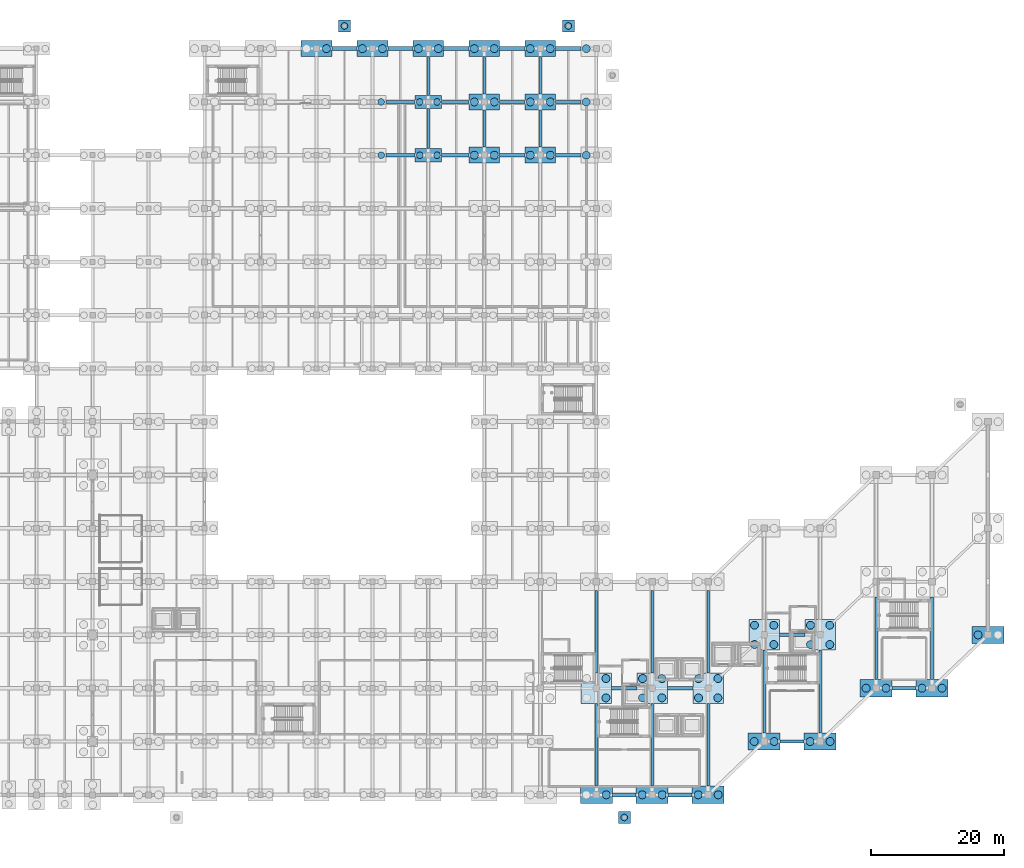
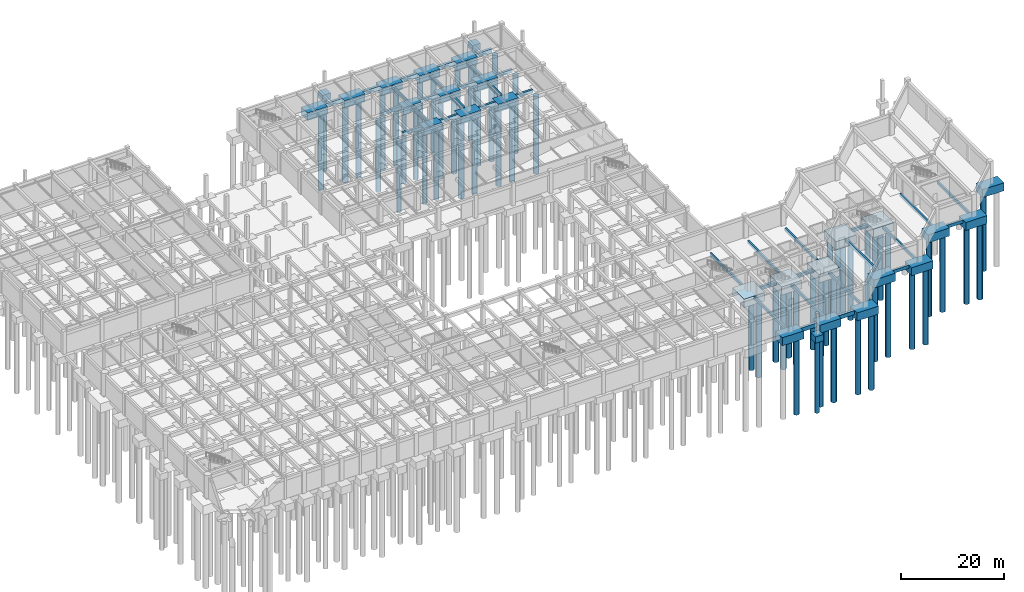
# One storey, part 9 of 56: 63 footings, 61 piles.
"""IFC4 building model written with IfcOpenShell, lengths in metres."""

from ifc_helpers import new_model, si_unit, direction, frame, origin, origin_2d, place, context, subcontext, project, spatial, rectangle, circle, extrude, material, material_profile, profile_set, type_object, element, save


model = new_model("IFC4")

# Units and contexts
model_context = context("Model", 3, precision=1e-05, world=origin(), true_north=direction((0.0, 1.0)))
body_context = subcontext(model_context, "Body", "Model", "MODEL_VIEW")
ifc_project = project(units=[si_unit("LENGTHUNIT", "METRE"), si_unit("AREAUNIT", "SQUARE_METRE"), si_unit("VOLUMEUNIT", "CUBIC_METRE"), si_unit("PLANEANGLEUNIT", "RADIAN"), si_unit("MASSUNIT", "GRAM", prefix="KILO")], contexts=[model_context])

# Site, building, storey
site_placement = place(None, origin())
site = spatial("IfcSite", under=ifc_project, at=site_placement, CompositionType="ELEMENT")
building_placement = place(site_placement, origin())
building = spatial("IfcBuilding", under=site, at=building_placement, Name="Naruveol Harbour Congress Hotel", CompositionType="ELEMENT")
storey_placement = place(building_placement, frame((0.0, 0.0, -5.39990234375)))
storey = spatial("IfcBuildingStorey", under=building, at=storey_placement, Name="B01", CompositionType="ELEMENT", Elevation=-5.39990234375)

# Piles
ifc_material_1 = material(Name="Concrete C40/50", Category="concrete")
ifc_material_profile_1 = material_profile(ifc_material_1, circle(Radius=0.5, at=origin_2d()), Name="BP-1000")
ifc_profile_set_1 = profile_set([ifc_material_profile_1], Name="Concrete C40/50")
pile_type_1 = type_object("IfcPileType", Name="BORED ROCK SOCKETED PILE D1000", PredefinedType="BORED", material=ifc_profile_set_1)
pile_1_placement = place(storey_placement, frame((88.199951171875, 115.39990234375, -1.35009765625), z_axis=(0.0, 0.0, -1.0), x_axis=(1.0, 0.0, 0.0)))
element("IfcPile", 1, at=pile_1_placement, inside=storey, type_object=pile_type_1, Name="Bored pile BP-1000 #1 under FTG-CAP-0882-1154", PredefinedType="BORED", context=body_context, shape_type="SweptSolid", body=[
    extrude(circle(Radius=0.5, at=origin_2d()), origin(), (0.0, 0.0, 1.0), 17.25),
])
for number, where, z_axis, x_axis, name in (
    (2, (93.699951171875, 96.0, -1.550048828125), (0.0, 0.0, -1.0), (1.0, 0.0, 0.0), "Bored pile BP-1000 #2 under FTG-CAP-0924-0960"),
    (3, (93.699951171875, 104.0, -1.550048828125), (0.0, 0.0, -1.0), (1.0, 0.0, 0.0), "Bored pile BP-1000 #2 under FTG-CAP-0924-1040"),
    (4, (99.5, 96.0, -1.550048828125), (0.0, 0.0, -1.0), (1.0, 0.0, 0.0), "Bored pile BP-1000 #1 under FTG-CAP-1008-0960"),
    (5, (102.10009765625, 96.0, -1.550048828125), (0.0, 0.0, -1.0), (1.0, 0.0, 0.0), "Bored pile BP-1000 #2 under FTG-CAP-1008-0960"),
    (6, (99.5, 104.0, -1.550048828125), (0.0, 0.0, -1.0), (1.0, 0.0, 0.0), "Bored pile BP-1000 #1 under FTG-CAP-1008-1040"),
    (7, (102.10009765625, 104.0, -1.550048828125), (0.0, 0.0, -1.0), (1.0, 0.0, 0.0), "Bored pile BP-1000 #2 under FTG-CAP-1008-1040"),
):
    element("IfcPile", number, at=place(storey_placement, frame(where, z_axis=z_axis, x_axis=x_axis)), inside=storey, type_object=pile_type_1, Name=name, PredefinedType="BORED", context=body_context, shape_type="SweptSolid", body=[
        extrude(circle(Radius=0.5, at=origin_2d()), origin(), (0.0, 0.0, 1.0), 17.050048828125),
    ])
for number, where, z_axis, x_axis, name in (
    (8, (121.800048828125, 115.39990234375, -1.35009765625), (0.0, 0.0, -1.0), (1.0, 0.0, 0.0), "Bored pile BP-1000 #1 under FTG-CAP-1218-1154"),
    (9, (130.199951171875, -3.39990234375, -1.35009765625), (0.0, 0.0, -1.0), (1.0, 0.0, 0.0), "Bored pile BP-1000 #1 under FTG-CAP-1302--034"),
):
    element("IfcPile", number, at=place(storey_placement, frame(where, z_axis=z_axis, x_axis=x_axis)), inside=storey, type_object=pile_type_1, Name=name, PredefinedType="BORED", context=body_context, shape_type="SweptSolid", body=[
        extrude(circle(Radius=0.5, at=origin_2d()), origin(), (0.0, 0.0, 1.0), 17.25),
    ])
ifc_material_2 = material(Name="Concrete C40/50", Category="concrete")
ifc_material_profile_2 = material_profile(ifc_material_2, circle(Radius=0.60009765625, at=origin_2d()), Name="BP-1200")
ifc_profile_set_2 = profile_set([ifc_material_profile_2], Name="Concrete C40/50")
pile_type_2 = type_object("IfcPileType", Name="BORED ROCK SOCKETED PILE D1200", PredefinedType="BORED", material=ifc_profile_set_2)
for number, where, z_axis, x_axis, name in (
    (10, (85.5, 112.0, -1.650146484375), (0.0, 0.0, -1.0), (1.0, 0.0, 0.0), "Bored pile BP-1200 #2 under FTG-CAP-0840-1120"),
    (11, (90.89990234375, 112.0, -1.650146484375), (0.0, 0.0, -1.0), (1.0, 0.0, 0.0), "Bored pile BP-1200 #1 under FTG-CAP-0924-1120"),
    (12, (93.89990234375, 112.0, -1.650146484375), (0.0, 0.0, -1.0), (1.0, 0.0, 0.0), "Bored pile BP-1200 #2 under FTG-CAP-0924-1120"),
    (13, (99.300048828125, 112.0, -1.650146484375), (0.0, 0.0, -1.0), (1.0, 0.0, 0.0), "Bored pile BP-1200 #1 under FTG-CAP-1008-1120"),
    (14, (102.300048828125, 112.0, -1.650146484375), (0.0, 0.0, -1.0), (1.0, 0.0, 0.0), "Bored pile BP-1200 #2 under FTG-CAP-1008-1120"),
    (15, (107.699951171875, 96.0, -1.650146484375), (0.0, 0.0, -1.0), (1.0, 0.0, 0.0), "Bored pile BP-1200 #1 under FTG-CAP-1092-0960"),
    (16, (110.699951171875, 96.0, -1.650146484375), (0.0, 0.0, -1.0), (1.0, 0.0, 0.0), "Bored pile BP-1200 #2 under FTG-CAP-1092-0960"),
    (17, (107.699951171875, 104.0, -1.650146484375), (0.0, 0.0, -1.0), (1.0, 0.0, 0.0), "Bored pile BP-1200 #1 under FTG-CAP-1092-1040"),
    (18, (110.699951171875, 104.0, -1.650146484375), (0.0, 0.0, -1.0), (1.0, 0.0, 0.0), "Bored pile BP-1200 #2 under FTG-CAP-1092-1040"),
    (19, (107.699951171875, 112.0, -1.650146484375), (0.0, 0.0, -1.0), (1.0, 0.0, 0.0), "Bored pile BP-1200 #1 under FTG-CAP-1092-1120"),
    (20, (110.699951171875, 112.0, -1.650146484375), (0.0, 0.0, -1.0), (1.0, 0.0, 0.0), "Bored pile BP-1200 #2 under FTG-CAP-1092-1120"),
    (21, (116.10009765625, 96.0, -1.650146484375), (0.0, 0.0, -1.0), (1.0, 0.0, 0.0), "Bored pile BP-1200 #1 under FTG-CAP-1176-0960"),
    (22, (119.10009765625, 96.0, -1.650146484375), (0.0, 0.0, -1.0), (1.0, 0.0, 0.0), "Bored pile BP-1200 #2 under FTG-CAP-1176-0960"),
    (23, (116.10009765625, 104.0, -1.650146484375), (0.0, 0.0, -1.0), (1.0, 0.0, 0.0), "Bored pile BP-1200 #1 under FTG-CAP-1176-1040"),
    (24, (119.10009765625, 104.0, -1.650146484375), (0.0, 0.0, -1.0), (1.0, 0.0, 0.0), "Bored pile BP-1200 #2 under FTG-CAP-1176-1040"),
    (25, (116.10009765625, 112.0, -1.650146484375), (0.0, 0.0, -1.0), (1.0, 0.0, 0.0), "Bored pile BP-1200 #1 under FTG-CAP-1176-1120"),
    (26, (119.10009765625, 112.0, -1.650146484375), (0.0, 0.0, -1.0), (1.0, 0.0, 0.0), "Bored pile BP-1200 #2 under FTG-CAP-1176-1120"),
):
    element("IfcPile", number, at=place(storey_placement, frame(where, z_axis=z_axis, x_axis=x_axis)), inside=storey, type_object=pile_type_2, Name=name, PredefinedType="BORED", context=body_context, shape_type="SweptSolid", body=[
        extrude(circle(Radius=0.60009765625, at=origin_2d()), origin(), (0.0, 0.0, 1.0), 18.449951171875),
    ])
pile_2_placement = place(storey_placement, frame((127.5, 0.0, -1.75), z_axis=(0.0, 0.0, -1.0), x_axis=(1.0, 0.0, 0.0)))
element("IfcPile", 27, at=pile_2_placement, inside=storey, type_object=pile_type_2, Name="Bored pile BP-1200 #2 under FTG-CAP-1260-0000", PredefinedType="BORED", context=body_context, shape_type="SweptSolid", body=[
    extrude(circle(Radius=0.60009765625, at=origin_2d()), origin(), (0.0, 0.0, 1.0), 18.35009765625),
])
for number, where, z_axis, x_axis, name in (
    (28, (127.449951171875, 14.550048828125, -1.85009765625), (0.0, 0.0, -1.0), (1.0, 0.0, 0.0), "Bored pile BP-1200 #2 under FTG-CAP-1260-0160"),
    (29, (127.449951171875, 17.449951171875, -1.85009765625), (0.0, 0.0, -1.0), (1.0, 0.0, 0.0), "Bored pile BP-1200 #4 under FTG-CAP-1260-0160"),
):
    element("IfcPile", number, at=place(storey_placement, frame(where, z_axis=z_axis, x_axis=x_axis)), inside=storey, type_object=pile_type_2, Name=name, PredefinedType="BORED", context=body_context, shape_type="SweptSolid", body=[
        extrude(circle(Radius=0.60009765625, at=origin_2d()), origin(), (0.0, 0.0, 1.0), 18.25),
    ])
for number, where, z_axis, x_axis, name in (
    (30, (124.5, 96.0, -1.650146484375), (0.0, 0.0, -1.0), (1.0, 0.0, 0.0), "Bored pile BP-1200 #1 under FTG-CAP-1260-0960"),
    (31, (124.5, 104.0, -1.650146484375), (0.0, 0.0, -1.0), (1.0, 0.0, 0.0), "Bored pile BP-1200 #1 under FTG-CAP-1260-1040"),
    (32, (124.5, 112.0, -1.650146484375), (0.0, 0.0, -1.0), (1.0, 0.0, 0.0), "Bored pile BP-1200 #1 under FTG-CAP-1260-1120"),
):
    element("IfcPile", number, at=place(storey_placement, frame(where, z_axis=z_axis, x_axis=x_axis)), inside=storey, type_object=pile_type_2, Name=name, PredefinedType="BORED", context=body_context, shape_type="SweptSolid", body=[
        extrude(circle(Radius=0.60009765625, at=origin_2d()), origin(), (0.0, 0.0, 1.0), 18.449951171875),
    ])
for number, where, z_axis, x_axis, name in (
    (33, (132.89990234375, 0.0, -1.75), (0.0, 0.0, -1.0), (1.0, 0.0, 0.0), "Bored pile BP-1200 #1 under FTG-CAP-1344-0000"),
    (34, (135.89990234375, 0.0, -1.75), (0.0, 0.0, -1.0), (1.0, 0.0, 0.0), "Bored pile BP-1200 #2 under FTG-CAP-1344-0000"),
):
    element("IfcPile", number, at=place(storey_placement, frame(where, z_axis=z_axis, x_axis=x_axis)), inside=storey, type_object=pile_type_2, Name=name, PredefinedType="BORED", context=body_context, shape_type="SweptSolid", body=[
        extrude(circle(Radius=0.60009765625, at=origin_2d()), origin(), (0.0, 0.0, 1.0), 18.35009765625),
    ])
for number, where, z_axis, x_axis, name in (
    (35, (132.949951171875, 14.550048828125, -1.85009765625), (0.0, 0.0, -1.0), (1.0, 0.0, 0.0), "Bored pile BP-1200 #1 under FTG-CAP-1344-0160"),
    (36, (135.85009765625, 14.550048828125, -1.85009765625), (0.0, 0.0, -1.0), (1.0, 0.0, 0.0), "Bored pile BP-1200 #2 under FTG-CAP-1344-0160"),
    (37, (132.949951171875, 17.449951171875, -1.85009765625), (0.0, 0.0, -1.0), (1.0, 0.0, 0.0), "Bored pile BP-1200 #3 under FTG-CAP-1344-0160"),
    (38, (135.85009765625, 17.449951171875, -1.85009765625), (0.0, 0.0, -1.0), (1.0, 0.0, 0.0), "Bored pile BP-1200 #4 under FTG-CAP-1344-0160"),
):
    element("IfcPile", number, at=place(storey_placement, frame(where, z_axis=z_axis, x_axis=x_axis)), inside=storey, type_object=pile_type_2, Name=name, PredefinedType="BORED", context=body_context, shape_type="SweptSolid", body=[
        extrude(circle(Radius=0.60009765625, at=origin_2d()), origin(), (0.0, 0.0, 1.0), 18.25),
    ])
for number, where, z_axis, x_axis, name in (
    (39, (141.300048828125, 0.0, -1.75), (0.0, 0.0, -1.0), (1.0, 0.0, 0.0), "Bored pile BP-1200 #1 under FTG-CAP-1428-0000"),
    (40, (144.300048828125, 0.0, -1.75), (0.0, 0.0, -1.0), (1.0, 0.0, 0.0), "Bored pile BP-1200 #2 under FTG-CAP-1428-0000"),
):
    element("IfcPile", number, at=place(storey_placement, frame(where, z_axis=z_axis, x_axis=x_axis)), inside=storey, type_object=pile_type_2, Name=name, PredefinedType="BORED", context=body_context, shape_type="SweptSolid", body=[
        extrude(circle(Radius=0.60009765625, at=origin_2d()), origin(), (0.0, 0.0, 1.0), 18.35009765625),
    ])
for number, where, z_axis, x_axis, name in (
    (41, (141.35009765625, 14.550048828125, -1.85009765625), (0.0, 0.0, -1.0), (1.0, 0.0, 0.0), "Bored pile BP-1200 #1 under FTG-CAP-1428-0160"),
    (42, (144.25, 14.550048828125, -1.85009765625), (0.0, 0.0, -1.0), (1.0, 0.0, 0.0), "Bored pile BP-1200 #2 under FTG-CAP-1428-0160"),
    (43, (141.35009765625, 17.449951171875, -1.85009765625), (0.0, 0.0, -1.0), (1.0, 0.0, 0.0), "Bored pile BP-1200 #3 under FTG-CAP-1428-0160"),
    (44, (144.25, 17.449951171875, -1.85009765625), (0.0, 0.0, -1.0), (1.0, 0.0, 0.0), "Bored pile BP-1200 #4 under FTG-CAP-1428-0160"),
):
    element("IfcPile", number, at=place(storey_placement, frame(where, z_axis=z_axis, x_axis=x_axis)), inside=storey, type_object=pile_type_2, Name=name, PredefinedType="BORED", context=body_context, shape_type="SweptSolid", body=[
        extrude(circle(Radius=0.60009765625, at=origin_2d()), origin(), (0.0, 0.0, 1.0), 18.25),
    ])
for number, where, z_axis, x_axis, name in (
    (45, (149.699951171875, 8.0, -1.75), (0.0, 0.0, -1.0), (1.0, 0.0, 0.0), "Bored pile BP-1200 #1 under FTG-CAP-1512-0080"),
    (46, (152.699951171875, 8.0, -1.75), (0.0, 0.0, -1.0), (1.0, 0.0, 0.0), "Bored pile BP-1200 #2 under FTG-CAP-1512-0080"),
):
    element("IfcPile", number, at=place(storey_placement, frame(where, z_axis=z_axis, x_axis=x_axis)), inside=storey, type_object=pile_type_2, Name=name, PredefinedType="BORED", context=body_context, shape_type="SweptSolid", body=[
        extrude(circle(Radius=0.60009765625, at=origin_2d()), origin(), (0.0, 0.0, 1.0), 18.35009765625),
    ])
for number, where, z_axis, x_axis, name in (
    (47, (149.75, 22.550048828125, -1.85009765625), (0.0, 0.0, -1.0), (1.0, 0.0, 0.0), "Bored pile BP-1200 #1 under FTG-CAP-1512-0240"),
    (48, (152.64990234375, 22.550048828125, -1.85009765625), (0.0, 0.0, -1.0), (1.0, 0.0, 0.0), "Bored pile BP-1200 #2 under FTG-CAP-1512-0240"),
    (49, (149.75, 25.449951171875, -1.85009765625), (0.0, 0.0, -1.0), (1.0, 0.0, 0.0), "Bored pile BP-1200 #3 under FTG-CAP-1512-0240"),
    (50, (152.64990234375, 25.449951171875, -1.85009765625), (0.0, 0.0, -1.0), (1.0, 0.0, 0.0), "Bored pile BP-1200 #4 under FTG-CAP-1512-0240"),
):
    element("IfcPile", number, at=place(storey_placement, frame(where, z_axis=z_axis, x_axis=x_axis)), inside=storey, type_object=pile_type_2, Name=name, PredefinedType="BORED", context=body_context, shape_type="SweptSolid", body=[
        extrude(circle(Radius=0.60009765625, at=origin_2d()), origin(), (0.0, 0.0, 1.0), 18.25),
    ])
for number, where, z_axis, x_axis, name in (
    (51, (158.10009765625, 8.0, -1.75), (0.0, 0.0, -1.0), (1.0, 0.0, 0.0), "Bored pile BP-1200 #1 under FTG-CAP-1596-0080"),
    (52, (161.10009765625, 8.0, -1.75), (0.0, 0.0, -1.0), (1.0, 0.0, 0.0), "Bored pile BP-1200 #2 under FTG-CAP-1596-0080"),
):
    element("IfcPile", number, at=place(storey_placement, frame(where, z_axis=z_axis, x_axis=x_axis)), inside=storey, type_object=pile_type_2, Name=name, PredefinedType="BORED", context=body_context, shape_type="SweptSolid", body=[
        extrude(circle(Radius=0.60009765625, at=origin_2d()), origin(), (0.0, 0.0, 1.0), 18.35009765625),
    ])
for number, where, z_axis, x_axis, name in (
    (53, (158.14990234375, 22.550048828125, -1.85009765625), (0.0, 0.0, -1.0), (1.0, 0.0, 0.0), "Bored pile BP-1200 #1 under FTG-CAP-1596-0240"),
    (54, (161.050048828125, 22.550048828125, -1.85009765625), (0.0, 0.0, -1.0), (1.0, 0.0, 0.0), "Bored pile BP-1200 #2 under FTG-CAP-1596-0240"),
    (55, (158.14990234375, 25.449951171875, -1.85009765625), (0.0, 0.0, -1.0), (1.0, 0.0, 0.0), "Bored pile BP-1200 #3 under FTG-CAP-1596-0240"),
    (56, (161.050048828125, 25.449951171875, -1.85009765625), (0.0, 0.0, -1.0), (1.0, 0.0, 0.0), "Bored pile BP-1200 #4 under FTG-CAP-1596-0240"),
):
    element("IfcPile", number, at=place(storey_placement, frame(where, z_axis=z_axis, x_axis=x_axis)), inside=storey, type_object=pile_type_2, Name=name, PredefinedType="BORED", context=body_context, shape_type="SweptSolid", body=[
        extrude(circle(Radius=0.60009765625, at=origin_2d()), origin(), (0.0, 0.0, 1.0), 18.25),
    ])
for number, where, z_axis, x_axis, name in (
    (57, (166.5, 16.0, -1.75), (0.0, 0.0, -1.0), (1.0, 0.0, 0.0), "Bored pile BP-1200 #1 under FTG-CAP-1680-0160"),
    (58, (169.5, 16.0, -1.75), (0.0, 0.0, -1.0), (1.0, 0.0, 0.0), "Bored pile BP-1200 #2 under FTG-CAP-1680-0160"),
    (59, (174.89990234375, 16.0, -1.75), (0.0, 0.0, -1.0), (1.0, 0.0, 0.0), "Bored pile BP-1200 #1 under FTG-CAP-1764-0160"),
    (60, (177.89990234375, 16.0, -1.75), (0.0, 0.0, -1.0), (1.0, 0.0, 0.0), "Bored pile BP-1200 #2 under FTG-CAP-1764-0160"),
    (61, (183.300048828125, 24.0, -1.75), (0.0, 0.0, -1.0), (1.0, 0.0, 0.0), "Bored pile BP-1200 #1 under FTG-CAP-1848-0240"),
):
    element("IfcPile", number, at=place(storey_placement, frame(where, z_axis=z_axis, x_axis=x_axis)), inside=storey, type_object=pile_type_2, Name=name, PredefinedType="BORED", context=body_context, shape_type="SweptSolid", body=[
        extrude(circle(Radius=0.60009765625, at=origin_2d()), origin(), (0.0, 0.0, 1.0), 18.35009765625),
    ])

# Footings
ifc_material_3 = material(Name="Concrete C40/50", Category="concrete")
footing_type_1 = type_object("IfcFootingType", Name="RC APRON EDGE PILE CAP 1800X1800X1500", PredefinedType="PILE_CAP", material=ifc_material_3)
for number, where, z_axis, x_axis, name in (
    (62, (88.199951171875, 115.39990234375, -1.5), (0.0, 0.0, 1.0), (1.0, 0.0, 0.0), "Pile cap PC9 at (88.2, 115.4)"),
    (63, (121.800048828125, 115.39990234375, -1.5), (0.0, 0.0, 1.0), (1.0, 0.0, 0.0), "Pile cap PC9 at (121.8, 115.4)"),
    (64, (130.199951171875, -3.39990234375, -1.5), (0.0, 0.0, 1.0), (1.0, 0.0, 0.0), "Pile cap PC9 at (130.2, -3.4)"),
):
    element("IfcFooting", number, at=place(storey_placement, frame(where, z_axis=z_axis, x_axis=x_axis)), inside=storey, type_object=footing_type_1, Name=name, PredefinedType="PILE_CAP", context=body_context, shape_type="SweptSolid", body=[
        extrude(rectangle(XDim=1.800048828125, YDim=1.800048828125, at=origin_2d()), origin(), (0.0, 0.0, 1.0), 1.5),
    ])
ifc_material_4 = material(Name="Concrete C40/50", Category="concrete")
ifc_material_profile_3 = material_profile(ifc_material_4, rectangle(XDim=0.39990234375, YDim=0.64990234375, at=origin_2d()), Name="RCB-400x650")
ifc_profile_set_3 = profile_set([ifc_material_profile_3], Name="Concrete C40/50")
footing_type_2 = type_object("IfcFootingType", Name="RC COLONNADE TIE BEAM 400X650", PredefinedType="FOOTING_BEAM", material=ifc_profile_set_3)
footing_1_placement = place(storey_placement, frame((100.800048828125, 97.0, -0.3251953125), z_axis=(0.0, 1.0, 0.0), x_axis=(-1.0, 0.0, 0.0)))
element("IfcFooting", 65, at=footing_1_placement, inside=storey, type_object=footing_type_2, Name="Foundation tie beam TB4 #386", PredefinedType="FOOTING_BEAM", context=body_context, shape_type="SweptSolid", body=[
    extrude(rectangle(XDim=0.39990234375, YDim=0.64990234375, at=origin_2d()), origin(), (0.0, 0.0, 1.0), 6.0),
])
footing_2_placement = place(storey_placement, frame((100.800048828125, 105.0, -0.3251953125), z_axis=(0.0, 1.0, 0.0), x_axis=(-1.0, 0.0, 0.0)))
element("IfcFooting", 66, at=footing_2_placement, inside=storey, type_object=footing_type_2, Name="Foundation tie beam TB4 #387", PredefinedType="FOOTING_BEAM", context=body_context, shape_type="SweptSolid", body=[
    extrude(rectangle(XDim=0.39990234375, YDim=0.64990234375, at=origin_2d()), origin(), (0.0, 0.0, 1.0), 5.800048828125),
])
for number, where, z_axis, x_axis, name in (
    (67, (109.199951171875, 97.199951171875, -0.3251953125), (0.0, 1.0, 0.0), (-1.0, 0.0, 0.0), "Foundation tie beam TB4 #400"),
    (68, (109.199951171875, 105.199951171875, -0.3251953125), (0.0, 1.0, 0.0), (-1.0, 0.0, 0.0), "Foundation tie beam TB4 #401"),
    (69, (117.60009765625, 97.199951171875, -0.3251953125), (0.0, 1.0, 0.0), (-1.0, 0.0, 0.0), "Foundation tie beam TB4 #413"),
    (70, (117.60009765625, 105.199951171875, -0.3251953125), (0.0, 1.0, 0.0), (-1.0, 0.0, 0.0), "Foundation tie beam TB4 #414"),
):
    element("IfcFooting", number, at=place(storey_placement, frame(where, z_axis=z_axis, x_axis=x_axis)), inside=storey, type_object=footing_type_2, Name=name, PredefinedType="FOOTING_BEAM", context=body_context, shape_type="SweptSolid", body=[
        extrude(rectangle(XDim=0.39990234375, YDim=0.64990234375, at=origin_2d()), origin(), (0.0, 0.0, 1.0), 5.60009765625),
    ])
for number, where, z_axis, x_axis, name in (
    (71, (126.0, 1.300048828125, -0.3251953125), (0.0, 1.0, 0.0), (-1.0, 0.0, 0.0), "Foundation tie beam TB4 #415"),
    (72, (126.0, 18.300048828125, -0.3251953125), (0.0, 1.0, 0.0), (-1.0, 0.0, 0.0), "Foundation tie beam TB4 #416"),
    (73, (134.39990234375, 1.300048828125, -0.3251953125), (0.0, 1.0, 0.0), (-1.0, 0.0, 0.0), "Foundation tie beam TB4 #427"),
    (74, (134.39990234375, 18.300048828125, -0.3251953125), (0.0, 1.0, 0.0), (-1.0, 0.0, 0.0), "Foundation tie beam TB4 #428"),
    (75, (142.800048828125, 1.300048828125, -0.3251953125), (0.0, 1.0, 0.0), (-1.0, 0.0, 0.0), "Foundation tie beam TB4 #429"),
    (76, (142.800048828125, 18.300048828125, -0.3251953125), (0.0, 1.0, 0.0), (-1.0, 0.0, 0.0), "Foundation tie beam TB4 #430"),
    (77, (151.199951171875, 9.300048828125, -0.3251953125), (0.0, 1.0, 0.0), (-1.0, 0.0, 0.0), "Foundation tie beam TB4 #431"),
    (78, (159.60009765625, 9.300048828125, -0.3251953125), (0.0, 1.0, 0.0), (-1.0, 0.0, 0.0), "Foundation tie beam TB4 #433"),
    (79, (168.0, 17.300048828125, -0.3251953125), (0.0, 1.0, 0.0), (-1.0, 0.0, 0.0), "Foundation tie beam TB4 #435"),
    (80, (176.39990234375, 17.300048828125, -0.3251953125), (0.0, 1.0, 0.0), (-1.0, 0.0, 0.0), "Foundation tie beam TB4 #437"),
):
    element("IfcFooting", number, at=place(storey_placement, frame(where, z_axis=z_axis, x_axis=x_axis)), inside=storey, type_object=footing_type_2, Name=name, PredefinedType="FOOTING_BEAM", context=body_context, shape_type="SweptSolid", body=[
        extrude(rectangle(XDim=0.39990234375, YDim=0.64990234375, at=origin_2d()), origin(), (0.0, 0.0, 1.0), 12.39990234375),
    ])
ifc_material_5 = material(Name="Concrete C40/50", Category="concrete")
ifc_material_profile_4 = material_profile(ifc_material_5, rectangle(XDim=0.5, YDim=0.75, at=origin_2d()), Name="RCB-500x750")
ifc_profile_set_4 = profile_set([ifc_material_profile_4], Name="Concrete C40/50")
footing_type_3 = type_object("IfcFootingType", Name="RC FOUNDATION TIE BEAM 500X750", PredefinedType="FOOTING_BEAM", material=ifc_profile_set_4)
footing_3_placement = place(storey_placement, frame((153.60009765625, 8.0, -0.375), z_axis=(1.0, 0.0, 0.0), x_axis=(0.0, 1.0, 0.0)))
element("IfcFooting", 81, at=footing_3_placement, inside=storey, type_object=footing_type_3, Name="Foundation tie beam TB2 #38", PredefinedType="FOOTING_BEAM", context=body_context, shape_type="SweptSolid", body=[
    extrude(rectangle(XDim=0.5, YDim=0.75, at=origin_2d()), origin(), (0.0, 0.0, 1.0), 3.599853515625),
])
for number, where, z_axis, x_axis, name in (
    (82, (128.300048828125, 16.0, -0.375), (1.0, 0.0, 0.0), (0.0, 1.0, 0.0), "Foundation tie beam TB2 #54"),
    (83, (136.699951171875, 16.0, -0.375), (1.0, 0.0, 0.0), (0.0, 1.0, 0.0), "Foundation tie beam TB2 #55"),
):
    element("IfcFooting", number, at=place(storey_placement, frame(where, z_axis=z_axis, x_axis=x_axis)), inside=storey, type_object=footing_type_3, Name=name, PredefinedType="FOOTING_BEAM", context=body_context, shape_type="SweptSolid", body=[
        extrude(rectangle(XDim=0.5, YDim=0.75, at=origin_2d()), origin(), (0.0, 0.0, 1.0), 3.800048828125),
    ])
footing_4_placement = place(storey_placement, frame((170.39990234375, 16.0, -0.375), z_axis=(1.0, 0.0, 0.0), x_axis=(0.0, 1.0, 0.0)))
element("IfcFooting", 84, at=footing_4_placement, inside=storey, type_object=footing_type_3, Name="Foundation tie beam TB2 #56", PredefinedType="FOOTING_BEAM", context=body_context, shape_type="SweptSolid", body=[
    extrude(rectangle(XDim=0.5, YDim=0.75, at=origin_2d()), origin(), (0.0, 0.0, 1.0), 3.60009765625),
])
footing_5_placement = place(storey_placement, frame((153.5, 24.0, -0.375), z_axis=(1.0, 0.0, 0.0), x_axis=(0.0, 1.0, 0.0)))
element("IfcFooting", 85, at=footing_5_placement, inside=storey, type_object=footing_type_3, Name="Foundation tie beam TB2 #70", PredefinedType="FOOTING_BEAM", context=body_context, shape_type="SweptSolid", body=[
    extrude(rectangle(XDim=0.5, YDim=0.75, at=origin_2d()), origin(), (0.0, 0.0, 1.0), 3.800048828125),
])
footing_6_placement = place(storey_placement, frame((94.39990234375, 96.0, -0.375), z_axis=(1.0, 0.0, 0.0), x_axis=(0.0, 1.0, 0.0)))
element("IfcFooting", 86, at=footing_6_placement, inside=storey, type_object=footing_type_3, Name="Foundation tie beam TB2 #198", PredefinedType="FOOTING_BEAM", context=body_context, shape_type="SweptSolid", body=[
    extrude(rectangle(XDim=0.5, YDim=0.75, at=origin_2d()), origin(), (0.0, 0.0, 1.0), 4.400146484375),
])
footing_7_placement = place(storey_placement, frame((102.800048828125, 96.0, -0.375), z_axis=(1.0, 0.0, 0.0), x_axis=(0.0, 1.0, 0.0)))
element("IfcFooting", 87, at=footing_7_placement, inside=storey, type_object=footing_type_3, Name="Foundation tie beam TB2 #199", PredefinedType="FOOTING_BEAM", context=body_context, shape_type="SweptSolid", body=[
    extrude(rectangle(XDim=0.5, YDim=0.75, at=origin_2d()), origin(), (0.0, 0.0, 1.0), 4.099853515625),
])
for number, where, z_axis, x_axis, name in (
    (88, (111.5, 96.0, -0.375), (1.0, 0.0, 0.0), (0.0, 1.0, 0.0), "Foundation tie beam TB2 #200"),
    (89, (119.89990234375, 96.0, -0.375), (1.0, 0.0, 0.0), (0.0, 1.0, 0.0), "Foundation tie beam TB2 #201"),
):
    element("IfcFooting", number, at=place(storey_placement, frame(where, z_axis=z_axis, x_axis=x_axis)), inside=storey, type_object=footing_type_3, Name=name, PredefinedType="FOOTING_BEAM", context=body_context, shape_type="SweptSolid", body=[
        extrude(rectangle(XDim=0.5, YDim=0.75, at=origin_2d()), origin(), (0.0, 0.0, 1.0), 3.800048828125),
    ])
footing_8_placement = place(storey_placement, frame((94.39990234375, 104.0, -0.375), z_axis=(1.0, 0.0, 0.0), x_axis=(0.0, 1.0, 0.0)))
element("IfcFooting", 90, at=footing_8_placement, inside=storey, type_object=footing_type_3, Name="Foundation tie beam TB2 #210", PredefinedType="FOOTING_BEAM", context=body_context, shape_type="SweptSolid", body=[
    extrude(rectangle(XDim=0.5, YDim=0.75, at=origin_2d()), origin(), (0.0, 0.0, 1.0), 4.400146484375),
])
footing_9_placement = place(storey_placement, frame((102.800048828125, 104.0, -0.375), z_axis=(1.0, 0.0, 0.0), x_axis=(0.0, 1.0, 0.0)))
element("IfcFooting", 91, at=footing_9_placement, inside=storey, type_object=footing_type_3, Name="Foundation tie beam TB2 #211", PredefinedType="FOOTING_BEAM", context=body_context, shape_type="SweptSolid", body=[
    extrude(rectangle(XDim=0.5, YDim=0.75, at=origin_2d()), origin(), (0.0, 0.0, 1.0), 4.099853515625),
])
for number, where, z_axis, x_axis, name in (
    (92, (111.5, 104.0, -0.375), (1.0, 0.0, 0.0), (0.0, 1.0, 0.0), "Foundation tie beam TB2 #212"),
    (93, (119.89990234375, 104.0, -0.375), (1.0, 0.0, 0.0), (0.0, 1.0, 0.0), "Foundation tie beam TB2 #213"),
):
    element("IfcFooting", number, at=place(storey_placement, frame(where, z_axis=z_axis, x_axis=x_axis)), inside=storey, type_object=footing_type_3, Name=name, PredefinedType="FOOTING_BEAM", context=body_context, shape_type="SweptSolid", body=[
        extrude(rectangle(XDim=0.5, YDim=0.75, at=origin_2d()), origin(), (0.0, 0.0, 1.0), 3.800048828125),
    ])
ifc_material_6 = material(Name="Concrete C40/50", Category="concrete")
ifc_material_profile_5 = material_profile(ifc_material_6, rectangle(XDim=0.60009765625, YDim=0.949951171875, at=origin_2d()), Name="RCB-600x950")
ifc_profile_set_5 = profile_set([ifc_material_profile_5], Name="Concrete C40/50")
footing_type_4 = type_object("IfcFootingType", Name="RC FOUNDATION TIE BEAM 600X900", PredefinedType="FOOTING_BEAM", material=ifc_profile_set_5)
footing_10_placement = place(storey_placement, frame((128.39990234375, 0.0, -0.47509765625), z_axis=(1.0, 0.0, 0.0), x_axis=(0.0, 1.0, 0.0)))
element("IfcFooting", 94, at=footing_10_placement, inside=storey, type_object=footing_type_4, Name="Foundation tie beam TB1 #22", PredefinedType="FOOTING_BEAM", context=body_context, shape_type="SweptSolid", body=[
    extrude(rectangle(XDim=0.60009765625, YDim=0.949951171875, at=origin_2d()), origin(), (0.0, 0.0, 1.0), 3.60009765625),
])
footing_11_placement = place(storey_placement, frame((136.800048828125, 0.0, -0.47509765625), z_axis=(1.0, 0.0, 0.0), x_axis=(0.0, 1.0, 0.0)))
element("IfcFooting", 95, at=footing_11_placement, inside=storey, type_object=footing_type_4, Name="Foundation tie beam TB1 #23", PredefinedType="FOOTING_BEAM", context=body_context, shape_type="SweptSolid", body=[
    extrude(rectangle(XDim=0.60009765625, YDim=0.949951171875, at=origin_2d()), origin(), (0.0, 0.0, 1.0), 3.599853515625),
])
for number, where, z_axis, x_axis, name in (
    (96, (86.300048828125, 112.0, -0.47509765625), (1.0, 0.0, 0.0), (0.0, 1.0, 0.0), "Foundation tie beam TB1 #221"),
    (97, (94.699951171875, 112.0, -0.47509765625), (1.0, 0.0, 0.0), (0.0, 1.0, 0.0), "Foundation tie beam TB1 #222"),
):
    element("IfcFooting", number, at=place(storey_placement, frame(where, z_axis=z_axis, x_axis=x_axis)), inside=storey, type_object=footing_type_4, Name=name, PredefinedType="FOOTING_BEAM", context=body_context, shape_type="SweptSolid", body=[
        extrude(rectangle(XDim=0.60009765625, YDim=0.949951171875, at=origin_2d()), origin(), (0.0, 0.0, 1.0), 3.800048828125),
    ])
footing_12_placement = place(storey_placement, frame((103.10009765625, 112.0, -0.47509765625), z_axis=(1.0, 0.0, 0.0), x_axis=(0.0, 1.0, 0.0)))
element("IfcFooting", 98, at=footing_12_placement, inside=storey, type_object=footing_type_4, Name="Foundation tie beam TB1 #223", PredefinedType="FOOTING_BEAM", context=body_context, shape_type="SweptSolid", body=[
    extrude(rectangle(XDim=0.60009765625, YDim=0.949951171875, at=origin_2d()), origin(), (0.0, 0.0, 1.0), 3.7998046875),
])
for number, where, z_axis, x_axis, name in (
    (99, (111.5, 112.0, -0.47509765625), (1.0, 0.0, 0.0), (0.0, 1.0, 0.0), "Foundation tie beam TB1 #224"),
    (100, (119.89990234375, 112.0, -0.47509765625), (1.0, 0.0, 0.0), (0.0, 1.0, 0.0), "Foundation tie beam TB1 #225"),
):
    element("IfcFooting", number, at=place(storey_placement, frame(where, z_axis=z_axis, x_axis=x_axis)), inside=storey, type_object=footing_type_4, Name=name, PredefinedType="FOOTING_BEAM", context=body_context, shape_type="SweptSolid", body=[
        extrude(rectangle(XDim=0.60009765625, YDim=0.949951171875, at=origin_2d()), origin(), (0.0, 0.0, 1.0), 3.800048828125),
    ])
ifc_material_7 = material(Name="Concrete C40/50", Category="concrete")
footing_type_5 = type_object("IfcFootingType", Name="RC HALL PILE CAP 4600X2400X1800", PredefinedType="PILE_CAP", material=ifc_material_7)
for number, where, z_axis, x_axis, name in (
    (101, (84.0, 112.0, -1.80029296875), (0.0, 0.0, 1.0), (1.0, 0.0, 0.0), "Pile cap PC5 at (84.0, 112.0)"),
    (102, (92.39990234375, 112.0, -1.80029296875), (0.0, 0.0, 1.0), (1.0, 0.0, 0.0), "Pile cap PC5 at (92.4, 112.0)"),
    (103, (100.800048828125, 112.0, -1.80029296875), (0.0, 0.0, 1.0), (1.0, 0.0, 0.0), "Pile cap PC5 at (100.8, 112.0)"),
    (104, (109.199951171875, 96.0, -1.80029296875), (0.0, 0.0, 1.0), (1.0, 0.0, 0.0), "Pile cap PC5 at (109.2, 96.0)"),
    (105, (109.199951171875, 104.0, -1.80029296875), (0.0, 0.0, 1.0), (1.0, 0.0, 0.0), "Pile cap PC5 at (109.2, 104.0)"),
    (106, (109.199951171875, 112.0, -1.80029296875), (0.0, 0.0, 1.0), (1.0, 0.0, 0.0), "Pile cap PC5 at (109.2, 112.0)"),
    (107, (117.60009765625, 96.0, -1.80029296875), (0.0, 0.0, 1.0), (1.0, 0.0, 0.0), "Pile cap PC5 at (117.6, 96.0)"),
    (108, (117.60009765625, 104.0, -1.80029296875), (0.0, 0.0, 1.0), (1.0, 0.0, 0.0), "Pile cap PC5 at (117.6, 104.0)"),
    (109, (117.60009765625, 112.0, -1.80029296875), (0.0, 0.0, 1.0), (1.0, 0.0, 0.0), "Pile cap PC5 at (117.6, 112.0)"),
):
    element("IfcFooting", number, at=place(storey_placement, frame(where, z_axis=z_axis, x_axis=x_axis)), inside=storey, type_object=footing_type_5, Name=name, PredefinedType="PILE_CAP", context=body_context, shape_type="SweptSolid", body=[
        extrude(rectangle(XDim=4.60009765625, YDim=2.39990234375, at=origin_2d()), origin(), (0.0, 0.0, 1.0), 1.800048828125),
    ])
ifc_material_8 = material(Name="Concrete C40/50", Category="concrete")
footing_type_6 = type_object("IfcFootingType", Name="RC HOTEL PILE CAP 4600X4600X2000", PredefinedType="PILE_CAP", material=ifc_material_8)
for number, where, z_axis, x_axis, name in (
    (110, (126.0, 16.0, -2.0), (0.0, 0.0, 1.0), (1.0, 0.0, 0.0), "Pile cap PC3 at (126.0, 16.0)"),
    (111, (134.39990234375, 16.0, -2.0), (0.0, 0.0, 1.0), (1.0, 0.0, 0.0), "Pile cap PC3 at (134.4, 16.0)"),
    (112, (142.800048828125, 16.0, -2.0), (0.0, 0.0, 1.0), (1.0, 0.0, 0.0), "Pile cap PC3 at (142.8, 16.0)"),
    (113, (151.199951171875, 24.0, -2.0), (0.0, 0.0, 1.0), (1.0, 0.0, 0.0), "Pile cap PC3 at (151.2, 24.0)"),
    (114, (159.60009765625, 24.0, -2.0), (0.0, 0.0, 1.0), (1.0, 0.0, 0.0), "Pile cap PC3 at (159.6, 24.0)"),
):
    element("IfcFooting", number, at=place(storey_placement, frame(where, z_axis=z_axis, x_axis=x_axis)), inside=storey, type_object=footing_type_6, Name=name, PredefinedType="PILE_CAP", context=body_context, shape_type="SweptSolid", body=[
        extrude(rectangle(XDim=4.60009765625, YDim=4.60009765625, at=origin_2d()), origin(), (0.0, 0.0, 1.0), 2.0),
    ])
ifc_material_9 = material(Name="Concrete C40/50", Category="concrete")
footing_type_7 = type_object("IfcFootingType", Name="RC PODIUM PILE CAP 4000X2000X1700", PredefinedType="PILE_CAP", material=ifc_material_9)
for number, where, z_axis, x_axis, name in (
    (115, (100.800048828125, 96.0, -1.7001953125), (0.0, 0.0, 1.0), (1.0, 0.0, 0.0), "Pile cap PC6 at (100.8, 96.0)"),
    (116, (100.800048828125, 104.0, -1.7001953125), (0.0, 0.0, 1.0), (1.0, 0.0, 0.0), "Pile cap PC6 at (100.8, 104.0)"),
):
    element("IfcFooting", number, at=place(storey_placement, frame(where, z_axis=z_axis, x_axis=x_axis)), inside=storey, type_object=footing_type_7, Name=name, PredefinedType="PILE_CAP", context=body_context, shape_type="SweptSolid", body=[
        extrude(rectangle(XDim=4.0, YDim=2.0, at=origin_2d()), origin(), (0.0, 0.0, 1.0), 1.699951171875),
    ])
ifc_material_10 = material(Name="Concrete C40/50", Category="concrete")
footing_type_8 = type_object("IfcFootingType", Name="RC TRANSFER PILE CAP 4800X2600X1900", PredefinedType="PILE_CAP", material=ifc_material_10)
for number, where, z_axis, x_axis, name in (
    (117, (126.0, 0.0, -1.900146484375), (0.0, 0.0, 1.0), (1.0, 0.0, 0.0), "Pile cap PC4 at (126.0, 0.0)"),
    (118, (134.39990234375, 0.0, -1.900146484375), (0.0, 0.0, 1.0), (1.0, 0.0, 0.0), "Pile cap PC4 at (134.4, 0.0)"),
    (119, (142.800048828125, 0.0, -1.900146484375), (0.0, 0.0, 1.0), (1.0, 0.0, 0.0), "Pile cap PC4 at (142.8, 0.0)"),
    (120, (151.199951171875, 8.0, -1.900146484375), (0.0, 0.0, 1.0), (1.0, 0.0, 0.0), "Pile cap PC4 at (151.2, 8.0)"),
    (121, (159.60009765625, 8.0, -1.900146484375), (0.0, 0.0, 1.0), (1.0, 0.0, 0.0), "Pile cap PC4 at (159.6, 8.0)"),
    (122, (168.0, 16.0, -1.900146484375), (0.0, 0.0, 1.0), (1.0, 0.0, 0.0), "Pile cap PC4 at (168.0, 16.0)"),
    (123, (176.39990234375, 16.0, -1.900146484375), (0.0, 0.0, 1.0), (1.0, 0.0, 0.0), "Pile cap PC4 at (176.4, 16.0)"),
    (124, (184.800048828125, 24.0, -1.900146484375), (0.0, 0.0, 1.0), (1.0, 0.0, 0.0), "Pile cap PC4 at (184.8, 24.0)"),
):
    element("IfcFooting", number, at=place(storey_placement, frame(where, z_axis=z_axis, x_axis=x_axis)), inside=storey, type_object=footing_type_8, Name=name, PredefinedType="PILE_CAP", context=body_context, shape_type="SweptSolid", body=[
        extrude(rectangle(XDim=4.800048828125, YDim=2.60009765625, at=origin_2d()), origin(), (0.0, 0.0, 1.0), 1.89990234375),
    ])

save(model, "model.ifc")
